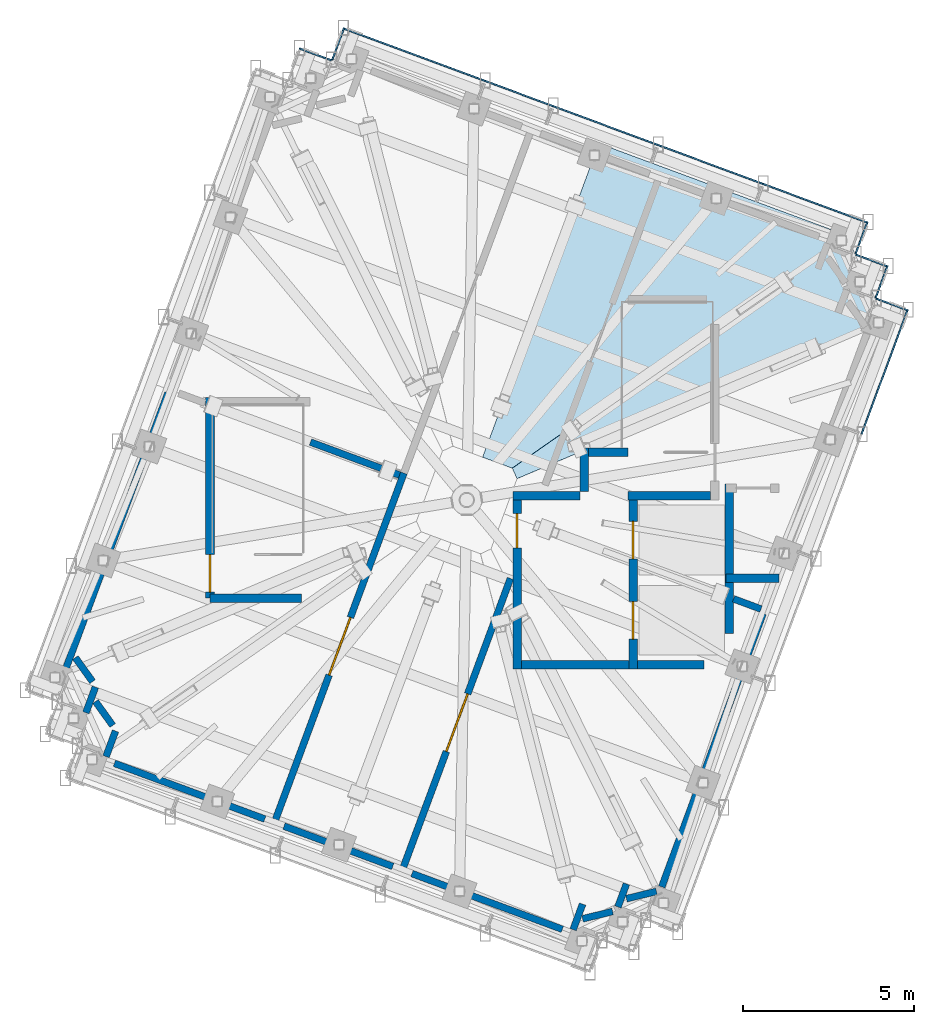
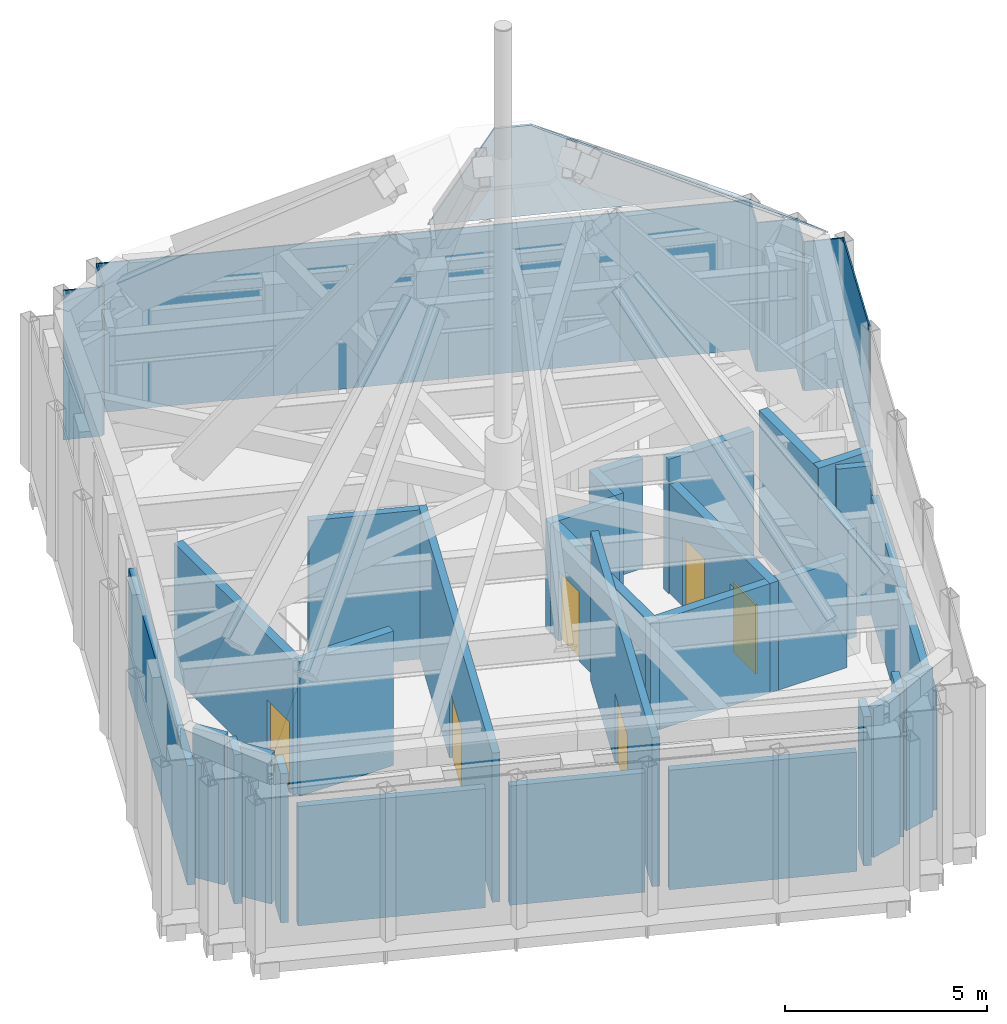
# One storey, part 6 of 14: 29 walls, 14 plates, 6 doors, 6 openings, 14 elements without a shape of their own.
"""IFC4 building model written with IfcOpenShell, lengths in metres."""

import ifcopenshell
import ifcopenshell.guid

model = None  # the IFC model being written
_history = None  # IfcOwnerHistory: only IFC2X3 demands one
_inside = {}  # id of a spatial element -> (the spatial element, [elements in it])
_under = {}  # id of a project, library or spatial element -> (it, [spatial elements below it])
_declared = {}  # id of a project -> (the project, [libraries it declares])
_typed = {}  # id of a type object -> (the type object, [elements of that type])
_made_of = {}  # id of a material, layer set ... -> (it, [elements and type objects made of it])


def new_model(schema):
    """Start an empty IFC model of exactly this schema.

    Asked for "IFC4X3", IfcOpenShell would pick the latest addendum, in which some entities
    have other attributes; the version numbers below select the first issue.
    IFC2X3 requires an IfcOwnerHistory on every rooted entity: one is made here for all.
    """
    global model, _history
    if schema == "IFC4X3":
        model = ifcopenshell.file(schema_version=(4, 3, 0, 0))
    else:
        model = ifcopenshell.file(schema=schema)
    _inside.clear()
    _under.clear()
    _declared.clear()
    _typed.clear()
    _made_of.clear()
    _history = None
    if model.schema == "IFC2X3":
        org = make("IfcOrganization", Name="unknown")
        user = make(
            "IfcPersonAndOrganization",
            ThePerson=make("IfcPerson", FamilyName="unknown"),
            TheOrganization=org,
        )
        app = make(
            "IfcApplication",
            ApplicationDeveloper=org,
            Version="unknown",
            ApplicationFullName="unknown",
            ApplicationIdentifier="unknown",
        )
        _history = make(
            "IfcOwnerHistory",
            OwningUser=user,
            OwningApplication=app,
            ChangeAction="ADDED",
            CreationDate=0,
        )
    return model


def make(cls, **values):
    """One entity of the class cls with the attributes given. An attribute that is None is left unset."""
    return model.create_entity(
        cls, **{name: value for name, value in values.items() if value is not None}
    )


def rooted(cls, **values):
    """An entity with a GlobalId (a new one), such as an element, a storey or a relation."""
    return make(cls, GlobalId=ifcopenshell.guid.new(), OwnerHistory=_history, **values)


def si_unit(unit_type, name, prefix=None):
    """IfcSIUnit, for example si_unit("LENGTHUNIT", "METRE", prefix="MILLI")."""
    return make("IfcSIUnit", UnitType=unit_type, Prefix=prefix, Name=name)


def assignment(units):
    """IfcUnitAssignment: the units of a project."""
    return None if units is None else make("IfcUnitAssignment", Units=units)


def point(xyz):
    """IfcCartesianPoint."""
    return None if xyz is None else make("IfcCartesianPoint", Coordinates=xyz)


def direction(xyz):
    """IfcDirection."""
    return None if xyz is None else make("IfcDirection", DirectionRatios=xyz)


def frame(location, z_axis=None, x_axis=None):
    """IfcAxis2Placement3D, a coordinate frame: its origin and axes. An axis left out is left unset."""
    return make(
        "IfcAxis2Placement3D",
        Location=point(location),
        Axis=direction(z_axis),
        RefDirection=direction(x_axis),
    )


def frame_2d(location, x_axis=None):
    """IfcAxis2Placement2D, a coordinate frame in the plane: its origin and x axis."""
    return make(
        "IfcAxis2Placement2D", Location=point(location), RefDirection=direction(x_axis)
    )


def origin():
    """The frame at (0, 0, 0) with its axes left unset."""
    return frame((0.0, 0.0, 0.0))


def place(relative_to, where):
    """IfcLocalPlacement: puts the frame where relative to a parent placement (None: the world)."""
    return make(
        "IfcLocalPlacement", PlacementRelTo=relative_to, RelativePlacement=where
    )


def context(
    kind, dimensions, precision=None, world=None, true_north=None, identifier=None
):
    """IfcGeometricRepresentationContext, for example the 3D "Model" context."""
    return make(
        "IfcGeometricRepresentationContext",
        ContextIdentifier=identifier,
        ContextType=kind,
        CoordinateSpaceDimension=dimensions,
        Precision=precision,
        WorldCoordinateSystem=world,
        TrueNorth=true_north,
    )


def subcontext(parent, identifier, kind, view, scale=None):
    """IfcGeometricRepresentationSubContext, for example "Body" below "Model"."""
    return make(
        "IfcGeometricRepresentationSubContext",
        ContextIdentifier=identifier,
        ContextType=kind,
        ParentContext=parent,
        TargetScale=scale,
        TargetView=view,
    )


def project(units=None, contexts=None):
    """IfcProject with its units and contexts."""
    return rooted(
        "IfcProject",
        Name="project",
        RepresentationContexts=contexts,
        UnitsInContext=assignment(units),
    )


def spatial(cls, under=None, at=None, **own):
    """A site, building, storey or space (cls), placed at a placement, below another one or the project."""
    s = rooted(cls, ObjectPlacement=at, **own)
    if under is not None:
        _under.setdefault(under.id(), (under, []))[1].append(s)
    return s


def polyline(points):
    """IfcPolyline through the points."""
    return make("IfcPolyline", Points=[point(p) for p in points])


def profile(cls, at=None, kind="AREA", **sizes):
    """A parametric profile (cls). Its sizes go by their IFC names, for example OverallWidth=200.0."""
    return make(cls, ProfileType=kind, Position=at, **sizes)


def rectangle(**sizes):
    """IfcRectangleProfileDef."""
    return profile("IfcRectangleProfileDef", **sizes)


def outline(outer, holes=None, kind="AREA"):
    """IfcArbitraryClosedProfileDef: a profile drawn as a closed curve; with holes, ...WithVoids."""
    if holes is None:
        return make("IfcArbitraryClosedProfileDef", ProfileType=kind, OuterCurve=outer)
    return make(
        "IfcArbitraryProfileDefWithVoids",
        ProfileType=kind,
        OuterCurve=outer,
        InnerCurves=holes,
    )


def extrude(swept, where, along, depth):
    """IfcExtrudedAreaSolid: the profile swept, set in the frame where, extruded along a direction by depth."""
    return make(
        "IfcExtrudedAreaSolid",
        SweptArea=swept,
        Position=where,
        ExtrudedDirection=direction(along),
        Depth=depth,
    )


def shape(context_of_items, identifier, shape_type, items):
    """IfcShapeRepresentation: the items that make up one representation, for example the "Body"."""
    return make(
        "IfcShapeRepresentation",
        ContextOfItems=context_of_items,
        RepresentationIdentifier=identifier,
        RepresentationType=shape_type,
        Items=items,
    )


def material(Name=None, Category=None):
    """IfcMaterial."""
    return make("IfcMaterial", Name=Name, Category=Category)


def layer(
    of_material, thickness, ventilated=None, Name=None, Category=None, Priority=None
):
    """IfcMaterialLayer: one layer of a wall or slab, of a material (None: an air gap)."""
    return make(
        "IfcMaterialLayer",
        Material=of_material,
        LayerThickness=thickness,
        IsVentilated=ventilated,
        Name=Name,
        Category=Category,
        Priority=Priority,
    )


def layer_set(layers, Name=None):
    """IfcMaterialLayerSet."""
    return make("IfcMaterialLayerSet", MaterialLayers=layers, LayerSetName=Name)


def made_of(thing, what):
    """Note that an element or type object is made of a material, layer set ...; save() writes the relation."""
    if what is not None:
        _made_of.setdefault(what.id(), (what, []))[1].append(thing)
    return thing


def type_object(cls, material=None, **own):
    """A type object (cls), such as IfcWallType, which elements share."""
    return made_of(rooted(cls, **own), material)


def element(
    cls,
    number,
    at=None,
    inside=None,
    cuts=None,
    type_object=None,
    material=None,
    context=None,
    identifier="Body",
    shape_type=None,
    held_by="IfcProductDefinitionShape",
    body=None,
    shapes=None,
    **own,
):
    """One element of the class cls, such as IfcWall. Its Tag is "e" and its number.

    at: its placement. inside: the storey or other place that contains it. cuts: it is an
    opening in that element (IfcRelVoidsElement). A single representation is given by context,
    identifier, shape_type and body (its items); several are given by shapes. held_by: the class
    of the entity that holds the representations. save() writes the other relations.
    """
    e = rooted(cls, Tag="e%d" % number, ObjectPlacement=at, **own)
    if body is not None:
        shapes = [shape(context, identifier, shape_type, body)]
    if shapes is not None:
        e.Representation = make(held_by, Representations=shapes)
    if inside is not None:
        _inside.setdefault(inside.id(), (inside, []))[1].append(e)
    if cuts is not None:
        rooted(
            "IfcRelVoidsElement", RelatingBuildingElement=cuts, RelatedOpeningElement=e
        )
    if type_object is not None:
        _typed.setdefault(type_object.id(), (type_object, []))[1].append(e)
    return made_of(e, material)


def fill(opening, filler):
    """IfcRelFillsElement: the door or window that sits in an opening."""
    return rooted(
        "IfcRelFillsElement",
        RelatingOpeningElement=opening,
        RelatedBuildingElement=filler,
    )


def aggregate(whole, parts):
    """IfcRelAggregates: a whole, such as a stair, and the parts it consists of."""
    return rooted("IfcRelAggregates", RelatingObject=whole, RelatedObjects=parts)


def save(model, path):
    """Write the relations noted so far, then the file.

    IfcRelAggregates (storeys below a building ...), IfcRelContainedInSpatialStructure (elements
    in a storey), IfcRelDefinesByType, IfcRelAssociatesMaterial and IfcRelDeclares: one each for
    every whole, place, type object, material and project.
    """
    for whole, parts in _under.values():
        aggregate(whole, parts)
    for where, things in _inside.values():
        rooted(
            "IfcRelContainedInSpatialStructure",
            RelatedElements=things,
            RelatingStructure=where,
        )
    for kind, things in _typed.values():
        rooted("IfcRelDefinesByType", RelatedObjects=things, RelatingType=kind)
    for what, things in _made_of.values():
        rooted("IfcRelAssociatesMaterial", RelatedObjects=things, RelatingMaterial=what)
    for by, libraries in _declared.values():
        rooted("IfcRelDeclares", RelatingContext=by, RelatedDefinitions=libraries)
    model.write(path)


model = new_model("IFC4")

# Units and contexts
model_context = context("Model", 3, precision=1e-05, world=origin(), true_north=direction((0.0, 1.0)))
body_context = subcontext(model_context, "Body", "Model", "MODEL_VIEW")
ifc_project = project(units=[si_unit("LENGTHUNIT", "METRE"), si_unit("AREAUNIT", "SQUARE_METRE"), si_unit("VOLUMEUNIT", "CUBIC_METRE"), si_unit("PLANEANGLEUNIT", "RADIAN"), si_unit("MASSUNIT", "GRAM", prefix="KILO")], contexts=[model_context])

# Site, building, storey
site_placement = place(None, origin())
site = spatial("IfcSite", under=ifc_project, at=site_placement, CompositionType="ELEMENT")
building_placement = place(site_placement, origin())
building = spatial("IfcBuilding", under=site, at=building_placement, Name="Cantera Rosa Tower", CompositionType="ELEMENT")
storey_placement = place(building_placement, frame((0.0, 0.0, 374.199951171875)))
storey = spatial("IfcBuildingStorey", under=building, at=storey_placement, Name="L84", CompositionType="ELEMENT", Elevation=374.199951171875)

# Curtain wall, plate
ifc_material_1 = material(Name="Aluminium frame with clear glass", Category="aluminium")
curtain_wall_type = type_object("IfcCurtainWallType", Name="CW4 CROWN GLAZING", PredefinedType="NOTDEFINED", material=ifc_material_1)
curtain_wall_1_placement = place(storey_placement, origin())
curtain_wall_1 = element("IfcCurtainWall", 1, at=curtain_wall_1_placement, inside=storey, type_object=curtain_wall_type, Name="CW4 L84-01", PredefinedType="NOTDEFINED")
ifc_material_2 = material(Name="Aluminium frame with clear glass", Category="aluminium")
ifc_layer_1 = layer(ifc_material_2, 0.0400390625)
ifc_layer_set_1 = layer_set([ifc_layer_1], Name="CW-PANEL CROWN 40")
plate_type = type_object("IfcPlateType", Name="CW-PANEL CROWN 40", PredefinedType="CURTAIN_PANEL", material=ifc_layer_set_1)
plate_1_placement = place(storey_placement, frame((11.76318359375, 8.14501953125, 0.0), z_axis=(0.347474360016, 0.937689484388, 0.0), x_axis=(-0.937689484388, 0.347474360016, 0.0)))
plate_1 = element("IfcPlate", 2, at=plate_1_placement, type_object=plate_type, Name="CROWN GLAZING L84-01", PredefinedType="CURTAIN_PANEL", context=body_context, shape_type="SweptSolid", body=[
    extrude(outline(polyline([(0.0, 0.0), (3.2798058465302473, 0.0), (3.2798058465302473, 4.5), (0.0, 4.5), (0.0, 0.0)])), origin(), (0.0, 0.0, -1.0), 0.0400390625),
])
aggregate(curtain_wall_1, [plate_1])

curtain_wall_2_placement = place(storey_placement, origin())
curtain_wall_2 = element("IfcCurtainWall", 3, at=curtain_wall_2_placement, inside=storey, type_object=curtain_wall_type, Name="CW4 L84-02", PredefinedType="NOTDEFINED")
plate_2_placement = place(storey_placement, frame((8.687744140625, 9.28466796875, 0.0), z_axis=(0.347515552333, 0.937674218952, 0.0), x_axis=(-0.937674218952, 0.347515552333, 0.0)))
plate_2 = element("IfcPlate", 4, at=plate_2_placement, type_object=plate_type, Name="CROWN GLAZING L84-02", PredefinedType="CURTAIN_PANEL", context=body_context, shape_type="SweptSolid", body=[
    extrude(outline(polyline([(0.0, 0.0), (3.280119610399501, 0.0), (3.280119610399501, 4.5), (0.0, 4.5), (0.0, 0.0)])), origin(), (0.0, 0.0, -1.0), 0.0400390625),
])
aggregate(curtain_wall_2, [plate_2])

curtain_wall_3_placement = place(storey_placement, origin())
curtain_wall_3 = element("IfcCurtainWall", 5, at=curtain_wall_3_placement, inside=storey, type_object=curtain_wall_type, Name="CW4 L84-03", PredefinedType="NOTDEFINED")
plate_3_placement = place(storey_placement, frame((5.612060546875, 10.424560546875, 0.0), z_axis=(0.347450108131, 0.937698470917, 0.0), x_axis=(-0.937698470917, 0.347450108131, 0.0)))
plate_3 = element("IfcPlate", 6, at=plate_3_placement, type_object=plate_type, Name="CROWN GLAZING L84-03", PredefinedType="CURTAIN_PANEL", context=body_context, shape_type="SweptSolid", body=[
    extrude(outline(polyline([(0.0, 0.0), (3.2800347757240482, 0.0), (3.2800347757240482, 4.5), (0.0, 4.5), (0.0, 0.0)])), origin(), (0.0, 0.0, -1.0), 0.0400390625),
])
aggregate(curtain_wall_3, [plate_3])

curtain_wall_4_placement = place(storey_placement, origin())
curtain_wall_4 = element("IfcCurtainWall", 7, at=curtain_wall_4_placement, inside=storey, type_object=curtain_wall_type, Name="CW4 L84-04", PredefinedType="NOTDEFINED")
plate_4_placement = place(storey_placement, frame((2.536376953125, 11.564208984375, 0.0), z_axis=(0.347460154615, 0.937694748282, 0.0), x_axis=(-0.937694748282, 0.347460154615, 0.0)))
plate_4 = element("IfcPlate", 8, at=plate_4_placement, type_object=plate_type, Name="CROWN GLAZING L84-04", PredefinedType="CURTAIN_PANEL", context=body_context, shape_type="SweptSolid", body=[
    extrude(outline(polyline([(0.0, 0.0), (2.1269019254717074, 0.0), (2.1269019254717074, 4.500000000000001), (0.0, 4.500000000000001), (0.0, 0.0)])), origin(), (0.0, 0.0, -1.0), 0.0400390625),
])
aggregate(curtain_wall_4, [plate_4])

curtain_wall_5_placement = place(storey_placement, origin())
curtain_wall_5 = element("IfcCurtainWall", 9, at=curtain_wall_5_placement, inside=storey, type_object=curtain_wall_type, Name="CW4 L84-05", PredefinedType="NOTDEFINED")
plate_5_placement = place(storey_placement, frame((0.5419921875, 12.30322265625, 0.0), z_axis=(0.347511654882, 0.937675663394, 0.0), x_axis=(-0.937675663394, 0.347511654882, 0.0)))
plate_5 = element("IfcPlate", 10, at=plate_5_placement, type_object=plate_type, Name="CROWN GLAZING L84-05", PredefinedType="CURTAIN_PANEL", context=body_context, shape_type="SweptSolid", body=[
    extrude(outline(polyline([(0.0, 0.0), (4.433023532043411, 0.0), (4.433023532043411, 4.500000000000001), (0.0, 4.500000000000001), (0.0, 0.0)])), origin(), (0.0, 0.0, -1.0), 0.0400390625),
])
aggregate(curtain_wall_5, [plate_5])

curtain_wall_6_placement = place(storey_placement, origin())
curtain_wall_6 = element("IfcCurtainWall", 11, at=curtain_wall_6_placement, inside=storey, type_object=curtain_wall_type, Name="CW4 L84-06", PredefinedType="NOTDEFINED")
plate_6_placement = place(storey_placement, frame((-3.61474609375, 13.84375, 0.0), z_axis=(-0.937636814806, 0.347616460371, 0.0), x_axis=(-0.347616460371, -0.937636814806, 0.0)))
plate_6 = element("IfcPlate", 12, at=plate_6_placement, type_object=plate_type, Name="CROWN GLAZING L84-06", PredefinedType="CURTAIN_PANEL", context=body_context, shape_type="SweptSolid", body=[
    extrude(outline(polyline([(0.0, 0.0), (1.000114464169268, 0.0), (1.000114464169268, 4.5), (0.0, 4.5), (0.0, 0.0)])), origin(), (0.0, 0.0, -1.0), 0.0400390625),
])
aggregate(curtain_wall_6, [plate_6])

curtain_wall_7_placement = place(storey_placement, origin())
curtain_wall_7 = element("IfcCurtainWall", 13, at=curtain_wall_7_placement, inside=storey, type_object=curtain_wall_type, Name="CW4 L84-07", PredefinedType="NOTDEFINED")
plate_7_placement = place(storey_placement, frame((-3.96240234375, 12.906005859375, 0.0), z_axis=(0.347481365188, 0.937686888491, 0.0), x_axis=(-0.937686888491, 0.347481365188, 0.0)))
plate_7 = element("IfcPlate", 14, at=plate_7_placement, type_object=plate_type, Name="CROWN GLAZING L84-07", PredefinedType="CURTAIN_PANEL", context=body_context, shape_type="SweptSolid", body=[
    extrude(outline(polyline([(0.0, 0.0), (0.9998006920083558, 0.0), (0.9998006920083558, 4.500000000000001), (0.0, 4.500000000000001), (0.0, 0.0)])), origin(), (0.0, 0.0, -1.0), 0.0400390625),
])
aggregate(curtain_wall_7, [plate_7])

curtain_wall_8_placement = place(storey_placement, origin())
curtain_wall_8 = element("IfcCurtainWall", 15, at=curtain_wall_8_placement, inside=storey, type_object=curtain_wall_type, Name="CW4 L84-32", PredefinedType="NOTDEFINED")
plate_8_placement = place(storey_placement, frame((11.592041015625, 1.927001953125, 0.0), z_axis=(0.937701814412, -0.347441084572, 0.0), x_axis=(0.347441084572, 0.937701814412, 0.0)))
plate_8 = element("IfcPlate", 16, at=plate_8_placement, type_object=plate_type, Name="CROWN GLAZING L84-32", PredefinedType="CURTAIN_PANEL", context=body_context, shape_type="SweptSolid", body=[
    extrude(outline(polyline([(0.0, 0.0), (3.8900480110642803, 0.0), (3.8900480110642803, 4.5), (0.0, 4.5), (0.0, 0.0)])), origin(), (0.0, 0.0, -1.0), 0.0400390625),
])
aggregate(curtain_wall_8, [plate_8])

curtain_wall_9_placement = place(storey_placement, origin())
curtain_wall_9 = element("IfcCurtainWall", 17, at=curtain_wall_9_placement, inside=storey, type_object=curtain_wall_type, Name="CW4 L84-33", PredefinedType="NOTDEFINED")
plate_9_placement = place(storey_placement, frame((12.943603515625, 5.57470703125, 0.0), z_axis=(0.347401818267, 0.937716362588, 0.0), x_axis=(-0.937716362588, 0.347401818267, 0.0)))
plate_9 = element("IfcPlate", 18, at=plate_9_placement, type_object=plate_type, Name="CROWN GLAZING L84-33", PredefinedType="CURTAIN_PANEL", context=body_context, shape_type="SweptSolid", body=[
    extrude(outline(polyline([(0.0, 0.0), (1.0000296230696903, 0.0), (1.0000296230696903, 4.5), (0.0, 4.5), (0.0, 0.0)])), origin(), (0.0, 0.0, -1.0), 0.0400390625),
])
aggregate(curtain_wall_9, [plate_9])

curtain_wall_10_placement = place(storey_placement, origin())
curtain_wall_10 = element("IfcCurtainWall", 19, at=curtain_wall_10_placement, inside=storey, type_object=curtain_wall_type, Name="CW4 L84-34", PredefinedType="NOTDEFINED")
plate_10_placement = place(storey_placement, frame((12.005859375, 5.922119140625, 0.0), z_axis=(0.937636814806, -0.347616460371, 0.0), x_axis=(0.347616460371, 0.937636814806, 0.0)))
plate_10 = element("IfcPlate", 20, at=plate_10_placement, type_object=plate_type, Name="CROWN GLAZING L84-34", PredefinedType="CURTAIN_PANEL", context=body_context, shape_type="SweptSolid", body=[
    extrude(outline(polyline([(0.0, 0.0), (1.000114464169268, 0.0), (1.000114464169268, 4.5), (0.0, 4.5), (0.0, 0.0)])), origin(), (0.0, 0.0, -1.0), 0.0400390625),
])
aggregate(curtain_wall_10, [plate_10])

curtain_wall_11_placement = place(storey_placement, origin())
curtain_wall_11 = element("IfcCurtainWall", 21, at=curtain_wall_11_placement, inside=storey, type_object=curtain_wall_type, Name="CW4 L84-35", PredefinedType="NOTDEFINED")
plate_11_placement = place(storey_placement, frame((12.353515625, 6.85986328125, 0.0), z_axis=(0.347401818267, 0.937716362588, 0.0), x_axis=(-0.937716362588, 0.347401818267, 0.0)))
plate_11 = element("IfcPlate", 22, at=plate_11_placement, type_object=plate_type, Name="CROWN GLAZING L84-35", PredefinedType="CURTAIN_PANEL", context=body_context, shape_type="SweptSolid", body=[
    extrude(outline(polyline([(0.0, 0.0), (1.0000296230696903, 0.0), (1.0000296230696903, 4.5), (0.0, 4.5), (0.0, 0.0)])), origin(), (0.0, 0.0, -1.0), 0.0400390625),
])
aggregate(curtain_wall_11, [plate_11])

curtain_wall_12_placement = place(storey_placement, origin())
curtain_wall_12 = element("IfcCurtainWall", 23, at=curtain_wall_12_placement, inside=storey, type_object=curtain_wall_type, Name="CW4 L84-36", PredefinedType="NOTDEFINED")
plate_12_placement = place(storey_placement, frame((11.415771484375, 7.207275390625, 0.0), z_axis=(0.937716362588, -0.347401818267, 0.0), x_axis=(0.347401818267, 0.937716362588, 0.0)))
plate_12 = element("IfcPlate", 24, at=plate_12_placement, type_object=plate_type, Name="CROWN GLAZING L84-36", PredefinedType="CURTAIN_PANEL", context=body_context, shape_type="SweptSolid", body=[
    extrude(outline(polyline([(0.0, 0.0), (1.0000296230696903, 0.0), (1.0000296230696903, 4.5), (0.0, 4.5), (0.0, 0.0)])), origin(), (0.0, 0.0, -1.0), 0.0400390625),
])
aggregate(curtain_wall_12, [plate_12])

curtain_wall_13_placement = place(storey_placement, origin())
curtain_wall_13 = element("IfcCurtainWall", 25, at=curtain_wall_13_placement, inside=storey, type_object=curtain_wall_type, Name="CW4 L84-06", PredefinedType="NOTDEFINED")
plate_13_placement = place(storey_placement, frame((12.287353515625, 5.20654296875, 5.1201171875), z_axis=(0.579543700689, 0.26236867971, 0.771551537422), x_axis=(-0.412466925939, 0.910972575489, 4.1392942e-05)))
plate_13 = element("IfcPlate", 26, at=plate_13_placement, type_object=plate_type, Name="CROWN GLAZING L84-06", PredefinedType="CURTAIN_PANEL", context=body_context, shape_type="SweptSolid", body=[
    extrude(outline(polyline([(0.0, 0.0), (2.8060030667105944, -1.1102230246251565e-16), (0.6232794813770549, 15.215986641748223), (0.2865183140618642, 15.216191129395781), (0.0, 0.0)])), origin(), (0.0, 0.0, -1.0), 0.0400390625),
])
aggregate(curtain_wall_13, [plate_13])

curtain_wall_14_placement = place(storey_placement, origin())
curtain_wall_14 = element("IfcCurtainWall", 27, at=curtain_wall_14_placement, inside=storey, type_object=curtain_wall_type, Name="CW4 L84-07", PredefinedType="NOTDEFINED")
plate_14_placement = place(storey_placement, frame((11.1298828125, 7.7626953125, 5.1201171875), z_axis=(0.244069849154, 0.658648287803, 0.71176705579), x_axis=(-0.937686173016, 0.347483295709, -1.1738331e-05)))
plate_14 = element("IfcPlate", 28, at=plate_14_placement, type_object=plate_type, Name="CROWN GLAZING L84-07", PredefinedType="CURTAIN_PANEL", context=body_context, shape_type="SweptSolid", body=[
    extrude(outline(polyline([(0.0, 0.0), (7.7388609918920155, 4.440892098500626e-16), (7.738735397614706, 13.781047355611033), (6.810085003869657, 13.780902509570062), (0.0, 0.0)])), origin(), (0.0, 0.0, -1.0), 0.0400390625),
])
aggregate(curtain_wall_14, [plate_14])

# Wall, opening, door
ifc_material_3 = material(Name="Masonry blockwork", Category="masonry")
ifc_layer_2 = layer(ifc_material_3, 0.199951171875)
ifc_layer_set_2 = layer_set([ifc_layer_2], Name="Blockwork partition 200")
wall_type_1 = type_object("IfcWallType", Name="Blockwork partition 200", PredefinedType="PARTITIONING", material=ifc_layer_set_2)
wall_1_placement = place(storey_placement, frame((-1.851318359375, -10.751708984375, 0.0), z_axis=(0.0, 0.0, 1.0), x_axis=(0.347478443899, 0.937687971036, 0.0)))
wall_1 = element("IfcWall", 29, at=wall_1_placement, inside=storey, type_object=wall_type_1, Name="Partition L84-1", PredefinedType="PARTITIONING", context=body_context, shape_type="SweptSolid", body=[
    extrude(rectangle(XDim=9.012939453125, YDim=0.199951171875, at=frame_2d((4.50634765625, 0.0))), origin(), (0.0, 0.0, 1.0), 4.5),
])
opening_1_placement = place(wall_1_placement, frame((3.6064453125, 0.0, 0.0)))
opening_1 = element("IfcOpeningElement", 30, at=opening_1_placement, cuts=wall_1, Name="Opening L84-003", PredefinedType="OPENING", context=body_context, shape_type="SweptSolid", body=[
    extrude(rectangle(XDim=1.800048828125, YDim=2.10009765625, at=frame_2d((0.89990234375, 1.050048828125))), frame((0.0, 0.10986328125, 0.0), z_axis=(0.0, -1.0, 0.0), x_axis=(1.0, 0.0, 0.0)), (0.0, 0.0, 1.0), 0.219970703125),
])
ifc_material_4 = material(Name="Timber", Category="wood")
door_type_1 = type_object("IfcDoorType", Name="Double door 1800x2100", OperationType="NOTDEFINED", PredefinedType="DOOR", material=ifc_material_4)
door_1_placement = place(opening_1_placement, origin())
door_1 = element("IfcDoor", 31, at=door_1_placement, inside=storey, type_object=door_type_1, Name="Door L84-003", OperationType="DOUBLE_DOOR_SINGLE_SWING", OverallHeight=2.10009765625, OverallWidth=1.800048828125, PredefinedType="DOOR", context=body_context, shape_type="SweptSolid", body=[
    extrude(rectangle(XDim=1.800048828125, YDim=2.10009765625, at=frame_2d((0.89990234375, 1.050048828125))), frame((0.0, 0.02490234375, 0.0), z_axis=(0.0, -1.0, 0.0), x_axis=(1.0, 0.0, 0.0)), (0.0, 0.0, 1.0), 0.050048828125),
])
fill(opening_1, door_1)

wall_2_placement = place(storey_placement, frame((-5.60205078125, -9.36181640625, 0.0), z_axis=(0.0, 0.0, 1.0), x_axis=(0.3474752148, 0.937689167635, 0.0)))
wall_2 = element("IfcWall", 32, at=wall_2_placement, inside=storey, type_object=wall_type_1, Name="Partition L84-6", PredefinedType="PARTITIONING", context=body_context, shape_type="SweptSolid", body=[
    extrude(rectangle(XDim=10.8251953125, YDim=0.199951171875, at=frame_2d((5.41259765625, 0.0))), origin(), (0.0, 0.0, 1.0), 4.5),
])
opening_2_placement = place(wall_2_placement, frame((4.512451171875, 0.0, 0.0)))
opening_2 = element("IfcOpeningElement", 33, at=opening_2_placement, cuts=wall_2, Name="Opening L84-001", PredefinedType="OPENING", context=body_context, shape_type="SweptSolid", body=[
    extrude(rectangle(XDim=1.800048828125, YDim=2.10009765625, at=frame_2d((0.89990234375, 1.050048828125))), frame((0.0, 0.10986328125, 0.0), z_axis=(0.0, -1.0, 0.0), x_axis=(1.0, 0.0, 0.0)), (0.0, 0.0, 1.0), 0.219970703125),
])
door_2_placement = place(opening_2_placement, origin())
door_2 = element("IfcDoor", 34, at=door_2_placement, inside=storey, type_object=door_type_1, Name="Door L84-001", OperationType="DOUBLE_DOOR_SINGLE_SWING", OverallHeight=2.10009765625, OverallWidth=1.800048828125, PredefinedType="DOOR", context=body_context, shape_type="SweptSolid", body=[
    extrude(rectangle(XDim=1.800048828125, YDim=2.10009765625, at=frame_2d((0.89990234375, 1.050048828125))), frame((0.0, 0.02490234375, 0.0), z_axis=(0.0, -1.0, 0.0), x_axis=(1.0, 0.0, 0.0)), (0.0, 0.0, 1.0), 0.050048828125),
])
fill(opening_2, door_2)

# Walls
wall_3_placement = place(storey_placement, frame((-10.572021484375, -7.52001953125, 0.0), z_axis=(0.0, 0.0, 1.0), x_axis=(0.34764237862, 0.93762720555, 0.0)))
element("IfcWall", 35, at=wall_3_placement, inside=storey, type_object=wall_type_1, Name="Partition L84-11", PredefinedType="PARTITIONING", context=body_context, shape_type="SweptSolid", body=[
    extrude(rectangle(XDim=0.7998046875, YDim=0.199951171875, at=frame_2d((0.39990234375, 0.0))), origin(), (0.0, 0.0, 1.0), 4.5),
])
wall_4_placement = place(storey_placement, frame((4.27490234375, -12.06201171875, 0.0), z_axis=(0.0, 0.0, 1.0), x_axis=(-0.971662578497, -0.236372235147, 0.0)))
element("IfcWall", 36, at=wall_4_placement, inside=storey, type_object=wall_type_1, Name="Partition L84-13", PredefinedType="PARTITIONING", context=body_context, shape_type="SweptSolid", body=[
    extrude(rectangle(XDim=0.90478515625, YDim=0.199951171875, at=frame_2d((0.452392578125, 0.0))), origin(), (0.0, 0.0, 1.0), 4.5),
])
wall_5_placement = place(storey_placement, frame((-10.376220703125, -6.60888671875, 0.0), z_axis=(0.0, 0.0, 1.0), x_axis=(-0.583159023618, 0.812358020316, 0.0)))
element("IfcWall", 37, at=wall_5_placement, inside=storey, type_object=wall_type_1, Name="Partition L84-14", PredefinedType="PARTITIONING", context=body_context, shape_type="SweptSolid", body=[
    extrude(rectangle(XDim=0.864990234375, YDim=0.199951171875, at=frame_2d((0.4326171875, 0.0))), origin(), (0.0, 0.0, 1.0), 4.5),
])
wall_6_placement = place(storey_placement, frame((-11.162109375, -6.23486328125, 0.0), z_axis=(0.0, 0.0, 1.0), x_axis=(0.34764237862, 0.93762720555, 0.0)))
element("IfcWall", 38, at=wall_6_placement, inside=storey, type_object=wall_type_1, Name="Partition L84-15", PredefinedType="PARTITIONING", context=body_context, shape_type="SweptSolid", body=[
    extrude(rectangle(XDim=0.7998046875, YDim=0.199951171875, at=frame_2d((0.39990234375, 0.0))), origin(), (0.0, 0.0, 1.0), 4.5),
])
wall_7_placement = place(storey_placement, frame((5.560302734375, -11.471923828125, 0.0), z_axis=(0.0, 0.0, 1.0), x_axis=(-0.971677648541, -0.236310277657, 0.0)))
element("IfcWall", 39, at=wall_7_placement, inside=storey, type_object=wall_type_1, Name="Partition L84-17", PredefinedType="PARTITIONING", context=body_context, shape_type="SweptSolid", body=[
    extrude(rectangle(XDim=0.905029296875, YDim=0.199951171875, at=frame_2d((0.45263671875, 0.0))), origin(), (0.0, 0.0, 1.0), 4.5),
])
wall_8_placement = place(storey_placement, frame((-10.96630859375, -5.32373046875, 0.0), z_axis=(0.0, 0.0, 1.0), x_axis=(-0.583159023618, 0.812358020316, 0.0)))
element("IfcWall", 40, at=wall_8_placement, inside=storey, type_object=wall_type_1, Name="Partition L84-18", PredefinedType="PARTITIONING", context=body_context, shape_type="SweptSolid", body=[
    extrude(rectangle(XDim=0.864990234375, YDim=0.199951171875, at=frame_2d((0.4326171875, 0.0))), origin(), (0.0, 0.0, 1.0), 4.5),
])
wall_9_placement = place(storey_placement, frame((8.626708984375, -3.19677734375, 0.0), z_axis=(0.0, 0.0, 1.0), x_axis=(-0.937721369246, 0.347388303861, 0.0)))
element("IfcWall", 41, at=wall_9_placement, inside=storey, type_object=wall_type_1, Name="Partition L84-21", PredefinedType="PARTITIONING", context=body_context, shape_type="SweptSolid", body=[
    extrude(rectangle(XDim=0.860107421875, YDim=0.199951171875, at=frame_2d((0.43017578125, 0.0))), origin(), (0.0, 0.0, 1.0), 4.5),
])
wall_10_placement = place(storey_placement, frame((-1.968994140625, 0.729736328125, 0.0), z_axis=(0.0, 0.0, 1.0), x_axis=(-0.937694811225, 0.347459984749, 0.0)))
element("IfcWall", 42, at=wall_10_placement, inside=storey, type_object=wall_type_1, Name="Partition L84-22", PredefinedType="PARTITIONING", context=body_context, shape_type="SweptSolid", body=[
    extrude(rectangle(XDim=2.78466796875, YDim=0.199951171875, at=frame_2d((1.392333984375, 0.0))), origin(), (0.0, 0.0, 1.0), 4.5),
])
wall_11_placement = place(storey_placement, frame((4.431396484375, -11.927978515625, 0.0), z_axis=(0.0, 0.0, 1.0), x_axis=(0.34729226376, 0.937756942673, 0.0)))
element("IfcWall", 43, at=wall_11_placement, inside=storey, type_object=wall_type_1, Name="Partition L84-30", PredefinedType="PARTITIONING", context=body_context, shape_type="SweptSolid", body=[
    extrude(rectangle(XDim=0.719970703125, YDim=0.199951171875, at=frame_2d((0.35986328125, 0.0))), origin(), (0.0, 0.0, 1.0), 4.5),
])
wall_12_placement = place(storey_placement, frame((3.118408203125, -12.59326171875, 0.0), z_axis=(0.0, 0.0, 1.0), x_axis=(0.34764237862, 0.93762720555, 0.0)))
element("IfcWall", 44, at=wall_12_placement, inside=storey, type_object=wall_type_1, Name="Partition L84-32", PredefinedType="PARTITIONING", context=body_context, shape_type="SweptSolid", body=[
    extrude(rectangle(XDim=0.7998046875, YDim=0.199951171875, at=frame_2d((0.39990234375, 0.0))), origin(), (0.0, 0.0, 1.0), 4.5),
])
ifc_material_5 = material(Name="Masonry blockwork", Category="masonry")
ifc_layer_3 = layer(ifc_material_5, 0.199951171875)
ifc_layer_set_3 = layer_set([ifc_layer_3], Name="Blockwork partition 200 H3600")
wall_type_2 = type_object("IfcWallType", Name="Blockwork partition 200 H3600", PredefinedType="PARTITIONING", material=ifc_layer_set_3)
wall_13_placement = place(storey_placement, frame((2.80224609375, -12.582763671875, 0.0), z_axis=(0.0, 0.0, 1.0), x_axis=(-0.937690471937, 0.347471695019, 0.0)))
element("IfcWall", 45, at=wall_13_placement, inside=storey, type_object=wall_type_2, Name="Partition L84-3", PredefinedType="PARTITIONING", context=body_context, shape_type="SweptSolid", body=[
    extrude(rectangle(XDim=4.69970703125, YDim=0.199951171875, at=frame_2d((2.349853515625, 0.0))), origin(), (0.0, 0.0, 1.0), 3.60009765625),
])
wall_14_placement = place(storey_placement, frame((-2.16748046875, -10.7412109375, 0.0), z_axis=(0.0, 0.0, 1.0), x_axis=(-0.93769418124, 0.347461684893, 0.0)))
element("IfcWall", 46, at=wall_14_placement, inside=storey, type_object=wall_type_2, Name="Partition L84-4", PredefinedType="PARTITIONING", context=body_context, shape_type="SweptSolid", body=[
    extrude(rectangle(XDim=3.400146484375, YDim=0.199951171875, at=frame_2d((1.7001953125, 0.0))), origin(), (0.0, 0.0, 1.0), 3.60009765625),
])
wall_15_placement = place(storey_placement, frame((-5.918212890625, -9.351318359375, 0.0), z_axis=(0.0, 0.0, 1.0), x_axis=(-0.937673545799, 0.347517368644, 0.0)))
element("IfcWall", 47, at=wall_15_placement, inside=storey, type_object=wall_type_2, Name="Partition L84-5", PredefinedType="PARTITIONING", context=body_context, shape_type="SweptSolid", body=[
    extrude(rectangle(XDim=4.699951171875, YDim=0.199951171875, at=frame_2d((2.35009765625, 0.0))), origin(), (0.0, 0.0, 1.0), 3.60009765625),
])
wall_16_placement = place(storey_placement, frame((-11.752197265625, -4.94970703125, 0.0), z_axis=(0.0, 0.0, 1.0), x_axis=(0.347491359551, 0.93768318479, 0.0)))
element("IfcWall", 48, at=wall_16_placement, inside=storey, type_object=wall_type_2, Name="Partition L84-19", PredefinedType="PARTITIONING", context=body_context, shape_type="SweptSolid", body=[
    extrude(rectangle(XDim=8.624755859375, YDim=0.199951171875, at=frame_2d((4.3125, 0.0))), origin(), (0.0, 0.0, 1.0), 3.60009765625),
])
wall_17_placement = place(storey_placement, frame((5.716552734375, -11.337890625, 0.0), z_axis=(0.0, 0.0, 1.0), x_axis=(0.347476262493, 0.937688779395, 0.0)))
element("IfcWall", 49, at=wall_17_placement, inside=storey, type_object=wall_type_2, Name="Partition L84-28", PredefinedType="PARTITIONING", context=body_context, shape_type="SweptSolid", body=[
    extrude(rectangle(XDim=8.545166015625, YDim=0.199951171875, at=frame_2d((4.2724609375, 0.0))), origin(), (0.0, 0.0, 1.0), 3.60009765625),
])

# Wall, openings, doors
ifc_material_6 = material(Name="Masonry blockwork", Category="masonry")
ifc_layer_4 = layer(ifc_material_6, 0.25)
ifc_layer_set_4 = layer_set([ifc_layer_4], Name="Fire-rated wall 250")
wall_type_3 = type_object("IfcWallType", Name="Fire-rated wall 250", PredefinedType="PARTITIONING", material=ifc_layer_set_4)
wall_18_placement = place(storey_placement, frame((4.875, 0.0, 0.0), z_axis=(0.0, 0.0, 1.0), x_axis=(0.0, -1.0, 0.0)))
wall_18 = element("IfcWall", 50, at=wall_18_placement, inside=storey, type_object=wall_type_3, Name="Fire wall L84-LIFT-SW", PredefinedType="PARTITIONING", context=body_context, shape_type="SweptSolid", body=[
    extrude(rectangle(XDim=4.949951171875, YDim=0.25, at=frame_2d((2.47509765625, 0.0))), origin(), (0.0, 0.0, 1.0), 3.300048828125),
])
opening_3_placement = place(wall_18_placement, frame((2.97509765625, 0.0, 0.0)))
opening_3 = element("IfcOpeningElement", 51, at=opening_3_placement, cuts=wall_18, Name="Opening LD-FF1-L84", PredefinedType="OPENING", context=body_context, shape_type="SweptSolid", body=[
    extrude(rectangle(XDim=1.10009765625, YDim=2.10009765625, at=frame_2d((0.550048828125, 1.050048828125))), frame((0.0, 0.135009765625, 0.0), z_axis=(0.0, -1.0, 0.0), x_axis=(1.0, 0.0, 0.0)), (0.0, 0.0, 1.0), 0.27001953125),
])
opening_4_placement = place(wall_18_placement, frame((0.625, 0.0, 0.0)))
opening_4 = element("IfcOpeningElement", 52, at=opening_4_placement, cuts=wall_18, Name="Opening LD-FF2-L84", PredefinedType="OPENING", context=body_context, shape_type="SweptSolid", body=[
    extrude(rectangle(XDim=1.10009765625, YDim=2.10009765625, at=frame_2d((0.550048828125, 1.050048828125))), frame((0.0, 0.135009765625, 0.0), z_axis=(0.0, -1.0, 0.0), x_axis=(1.0, 0.0, 0.0)), (0.0, 0.0, 1.0), 0.27001953125),
])
ifc_material_7 = material(Name="Steel S355J2 (EN 10025-2)", Category="steel")
door_type_2 = type_object("IfcDoorType", Name="LANDING DOOR 1100x2100", OperationType="NOTDEFINED", PredefinedType="DOOR", material=ifc_material_7)
door_3_placement = place(opening_3_placement, origin())
door_3 = element("IfcDoor", 53, at=door_3_placement, inside=storey, type_object=door_type_2, Name="LIFT LANDING DOOR FF1 L84", OperationType="SLIDING_TO_LEFT", OverallHeight=2.10009765625, OverallWidth=1.10009765625, PredefinedType="DOOR", context=body_context, shape_type="SweptSolid", body=[
    extrude(rectangle(XDim=1.10009765625, YDim=2.10009765625, at=frame_2d((0.550048828125, 1.050048828125))), frame((0.0, 0.02490234375, 0.0), z_axis=(0.0, -1.0, 0.0), x_axis=(1.0, 0.0, 0.0)), (0.0, 0.0, 1.0), 0.050048828125),
])
fill(opening_3, door_3)
door_4_placement = place(opening_4_placement, origin())
door_4 = element("IfcDoor", 54, at=door_4_placement, inside=storey, type_object=door_type_2, Name="LIFT LANDING DOOR FF2 L84", OperationType="SLIDING_TO_LEFT", OverallHeight=2.10009765625, OverallWidth=1.10009765625, PredefinedType="DOOR", context=body_context, shape_type="SweptSolid", body=[
    extrude(rectangle(XDim=1.10009765625, YDim=2.10009765625, at=frame_2d((0.550048828125, 1.050048828125))), frame((0.0, 0.02490234375, 0.0), z_axis=(0.0, -1.0, 0.0), x_axis=(1.0, 0.0, 0.0)), (0.0, 0.0, 1.0), 0.050048828125),
])
fill(opening_4, door_4)

# Wall, opening, door
wall_19_placement = place(storey_placement, frame((1.47509765625, 0.25, 0.0), z_axis=(0.0, 0.0, 1.0), x_axis=(0.0, -1.0, 0.0)))
wall_19 = element("IfcWall", 55, at=wall_19_placement, inside=storey, type_object=wall_type_3, Name="Fire wall L84-LIFT-LW", PredefinedType="PARTITIONING", context=body_context, shape_type="SweptSolid", body=[
    extrude(rectangle(XDim=5.199951171875, YDim=0.25, at=frame_2d((2.60009765625, 0.0))), origin(), (0.0, 0.0, 1.0), 3.300048828125),
])
opening_5_placement = place(wall_19_placement, frame((0.64990234375, 0.0, 0.0)))
opening_5 = element("IfcOpeningElement", 56, at=opening_5_placement, cuts=wall_19, Name="Opening L84-FL", PredefinedType="OPENING", context=body_context, shape_type="SweptSolid", body=[
    extrude(rectangle(XDim=1.0, YDim=2.10009765625, at=frame_2d((0.5, 1.050048828125))), frame((0.0, 0.135009765625, 0.0), z_axis=(0.0, -1.0, 0.0), x_axis=(1.0, 0.0, 0.0)), (0.0, 0.0, 1.0), 0.27001953125),
])
ifc_material_8 = material(Name="Steel S355J2 (EN 10025-2)", Category="steel")
door_type_3 = type_object("IfcDoorType", Name="Fire door 1000x2100", OperationType="NOTDEFINED", PredefinedType="DOOR", material=ifc_material_8)
door_5_placement = place(opening_5_placement, origin())
door_5 = element("IfcDoor", 57, at=door_5_placement, inside=storey, type_object=door_type_3, Name="Door L84-FL", OverallHeight=2.10009765625, OverallWidth=1.0, PredefinedType="DOOR", context=body_context, shape_type="SweptSolid", body=[
    extrude(rectangle(XDim=1.0, YDim=2.10009765625, at=frame_2d((0.5, 1.050048828125))), frame((0.0, 0.02490234375, 0.0), z_axis=(0.0, -1.0, 0.0), x_axis=(1.0, 0.0, 0.0)), (0.0, 0.0, 1.0), 0.050048828125),
])
fill(opening_5, door_5)

# Walls
wall_20_placement = place(storey_placement, frame((1.35009765625, 0.125, 0.0), z_axis=(0.0, 0.0, 1.0), x_axis=(1.0, 0.0, 0.0)))
element("IfcWall", 58, at=wall_20_placement, inside=storey, type_object=wall_type_3, Name="Fire wall L84-LIFT-LN", PredefinedType="PARTITIONING", context=body_context, shape_type="SweptSolid", body=[
    extrude(rectangle(XDim=1.974853515625, YDim=0.25, at=frame_2d((0.9873046875, 0.0))), origin(), (0.0, 0.0, 1.0), 3.300048828125),
])
wall_21_placement = place(storey_placement, frame((3.449951171875, 0.25, 0.0), z_axis=(0.0, 0.0, 1.0), x_axis=(0.0, 1.0, 0.0)))
element("IfcWall", 59, at=wall_21_placement, inside=storey, type_object=wall_type_3, Name="Fire wall L84-LIFT-AW", PredefinedType="PARTITIONING", context=body_context, shape_type="SweptSolid", body=[
    extrude(rectangle(XDim=1.27490234375, YDim=0.25, at=frame_2d((0.637451171875, 0.0))), origin(), (0.0, 0.0, 1.0), 3.300048828125),
])
wall_22_placement = place(storey_placement, frame((3.324951171875, 1.39990234375, 0.0), z_axis=(0.0, 0.0, 1.0), x_axis=(1.0, 0.0, 0.0)))
element("IfcWall", 60, at=wall_22_placement, inside=storey, type_object=wall_type_3, Name="Fire wall L84-LIFT-AN", PredefinedType="PARTITIONING", context=body_context, shape_type="SweptSolid", body=[
    extrude(rectangle(XDim=1.405029296875, YDim=0.25, at=frame_2d((0.70263671875, 0.0))), origin(), (0.0, 0.0, 1.0), 3.300048828125),
])
wall_23_placement = place(storey_placement, frame((1.35009765625, -4.824951171875, 0.0), z_axis=(0.0, 0.0, 1.0), x_axis=(1.0, 0.0, 0.0)))
element("IfcWall", 61, at=wall_23_placement, inside=storey, type_object=wall_type_3, Name="Fire wall L84-LIFT-LS", PredefinedType="PARTITIONING", context=body_context, shape_type="SweptSolid", body=[
    extrude(rectangle(XDim=5.599853515625, YDim=0.25, at=frame_2d((2.7998046875, 0.0))), origin(), (0.0, 0.0, 1.0), 3.300048828125),
])
wall_24_placement = place(storey_placement, frame((7.695068359375, -2.419921875, 0.0), z_axis=(0.0, 0.0, 1.0), x_axis=(0.0, -1.0, 0.0)))
element("IfcWall", 62, at=wall_24_placement, inside=storey, type_object=wall_type_3, Name="Fire wall L84-LIFT-SE", PredefinedType="PARTITIONING", context=body_context, shape_type="SweptSolid", body=[
    extrude(rectangle(XDim=1.5, YDim=0.25, at=frame_2d((0.75, 0.0))), origin(), (0.0, 0.0, 1.0), 3.300048828125),
])

# Wall, opening, door
ifc_material_9 = material(Name="Concrete C50/60", Category="concrete")
ifc_layer_5 = layer(ifc_material_9, 0.25)
ifc_layer_set_5 = layer_set([ifc_layer_5], Name="STAIR WALL 250 H4050")
wall_type_4 = type_object("IfcWallType", Name="STAIR WALL 250 H4050", PredefinedType="SOLIDWALL", material=ifc_layer_set_5)
wall_25_placement = place(storey_placement, frame((-7.52490234375, -2.875, 0.0), z_axis=(0.0, 0.0, 1.0), x_axis=(0.0, 1.0, 0.0)))
wall_25 = element("IfcWall", 63, at=wall_25_placement, inside=storey, type_object=wall_type_4, Name="STAIR WALL ST-71 L84-1", PredefinedType="SOLIDWALL", context=body_context, shape_type="SweptSolid", body=[
    extrude(rectangle(XDim=5.875, YDim=0.25, at=frame_2d((2.9375, 0.0))), origin(), (0.0, 0.0, 1.0), 4.050048828125),
])
opening_6_placement = place(wall_25_placement, frame((0.175048828125, 0.0, 0.0)))
opening_6 = element("IfcOpeningElement", 64, at=opening_6_placement, cuts=wall_25, Name="Opening L84-ST-71", PredefinedType="OPENING", context=body_context, shape_type="SweptSolid", body=[
    extrude(rectangle(XDim=1.10009765625, YDim=2.10009765625, at=frame_2d((0.550048828125, 1.050048828125))), frame((0.0, 0.135009765625, 0.0), z_axis=(0.0, -1.0, 0.0), x_axis=(1.0, 0.0, 0.0)), (0.0, 0.0, 1.0), 0.27001953125),
])
ifc_material_10 = material(Name="Steel S355J2 (EN 10025-2)", Category="steel")
door_type_4 = type_object("IfcDoorType", Name="STAIR DOOR 1100x2100", OperationType="NOTDEFINED", PredefinedType="DOOR", material=ifc_material_10)
door_6_placement = place(opening_6_placement, origin())
door_6 = element("IfcDoor", 65, at=door_6_placement, inside=storey, type_object=door_type_4, Name="DOOR L84-ST-71", OperationType="NOTDEFINED", OverallHeight=2.10009765625, OverallWidth=1.10009765625, PredefinedType="DOOR", context=body_context, shape_type="SweptSolid", body=[
    extrude(rectangle(XDim=1.10009765625, YDim=2.10009765625, at=frame_2d((0.550048828125, 1.050048828125))), frame((0.0, 0.02490234375, 0.0), z_axis=(0.0, -1.0, 0.0), x_axis=(1.0, 0.0, 0.0)), (0.0, 0.0, 1.0), 0.050048828125),
])
fill(opening_6, door_6)

# Walls
wall_26_placement = place(storey_placement, frame((-4.85009765625, -2.875, 0.0), z_axis=(0.0, 0.0, 1.0), x_axis=(-1.0, 0.0, 0.0)))
element("IfcWall", 66, at=wall_26_placement, inside=storey, type_object=wall_type_4, Name="STAIR WALL ST-71 L84-3", PredefinedType="SOLIDWALL", context=body_context, shape_type="SweptSolid", body=[
    extrude(rectangle(XDim=2.6748046875, YDim=0.25, at=frame_2d((1.33740234375, 0.0))), origin(), (0.0, 0.0, 1.0), 4.050048828125),
])
wall_27_placement = place(storey_placement, frame((7.14990234375, 0.125, 0.0), z_axis=(0.0, 0.0, 1.0), x_axis=(-1.0, 0.0, 0.0)))
element("IfcWall", 67, at=wall_27_placement, inside=storey, type_object=wall_type_4, Name="STAIR WALL ST-72 L84-3", PredefinedType="SOLIDWALL", context=body_context, shape_type="SweptSolid", body=[
    extrude(rectangle(XDim=2.4248046875, YDim=0.25, at=frame_2d((1.21240234375, 0.0))), origin(), (0.0, 0.0, 1.0), 4.050048828125),
])
ifc_material_11 = material(Name="Masonry blockwork", Category="masonry")
ifc_layer_6 = layer(ifc_material_11, 0.25)
ifc_layer_set_6 = layer_set([ifc_layer_6], Name="Fire-rated wall 250 H4250")
wall_type_5 = type_object("IfcWallType", Name="Fire-rated wall 250 H4250", PredefinedType="PARTITIONING", material=ifc_layer_set_6)
wall_28_placement = place(storey_placement, frame((7.699951171875, -2.425048828125, 0.0), z_axis=(0.0, 0.0, 1.0), x_axis=(0.0, 1.0, 0.0)))
element("IfcWall", 68, at=wall_28_placement, inside=storey, type_object=wall_type_5, Name="Fire wall L84-RISER-W", PredefinedType="PARTITIONING", context=body_context, shape_type="SweptSolid", body=[
    extrude(rectangle(XDim=2.900146484375, YDim=0.25, at=frame_2d((1.4501953125, 0.0))), origin(), (0.0, 0.0, 1.0), 4.25),
])
wall_29_placement = place(storey_placement, frame((7.60009765625, -2.300048828125, 0.0), z_axis=(0.0, 0.0, 1.0), x_axis=(1.0, 0.0, 0.0)))
element("IfcWall", 69, at=wall_29_placement, inside=storey, type_object=wall_type_5, Name="Fire wall L84-RISER-S", PredefinedType="PARTITIONING", context=body_context, shape_type="SweptSolid", body=[
    extrude(rectangle(XDim=1.5498046875, YDim=0.25, at=frame_2d((0.77490234375, 0.0))), origin(), (0.0, 0.0, 1.0), 4.25),
])

save(model, "model.ifc")
